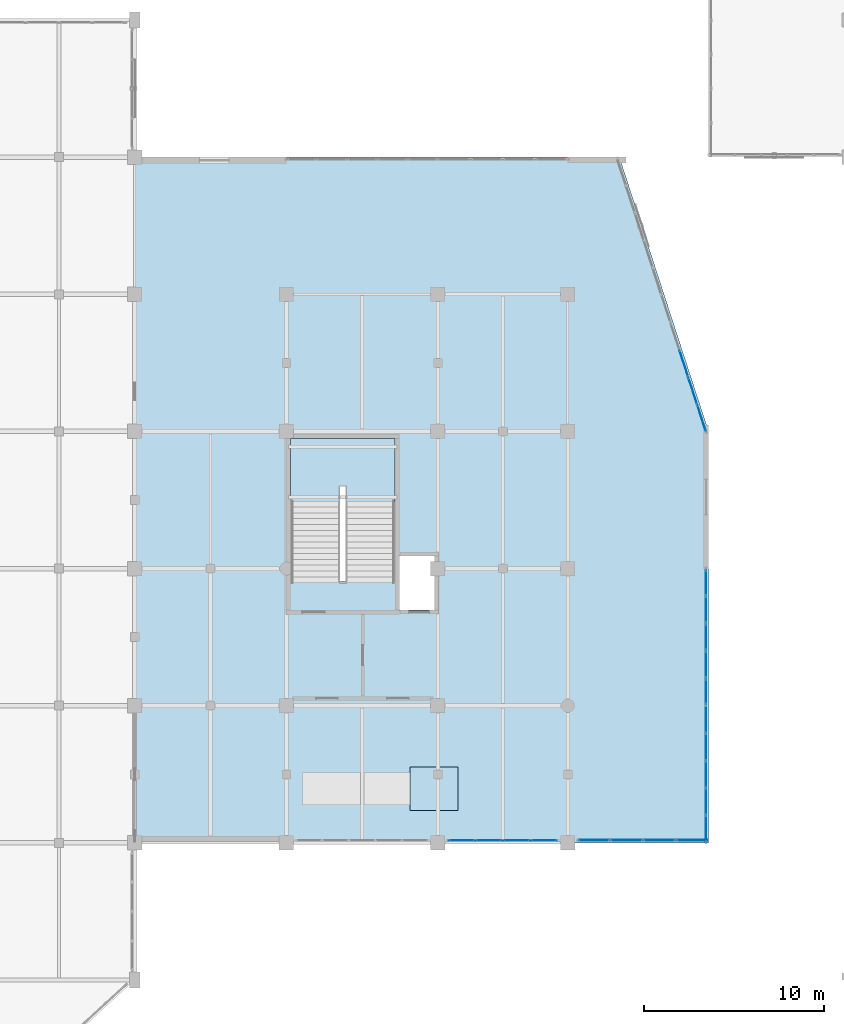
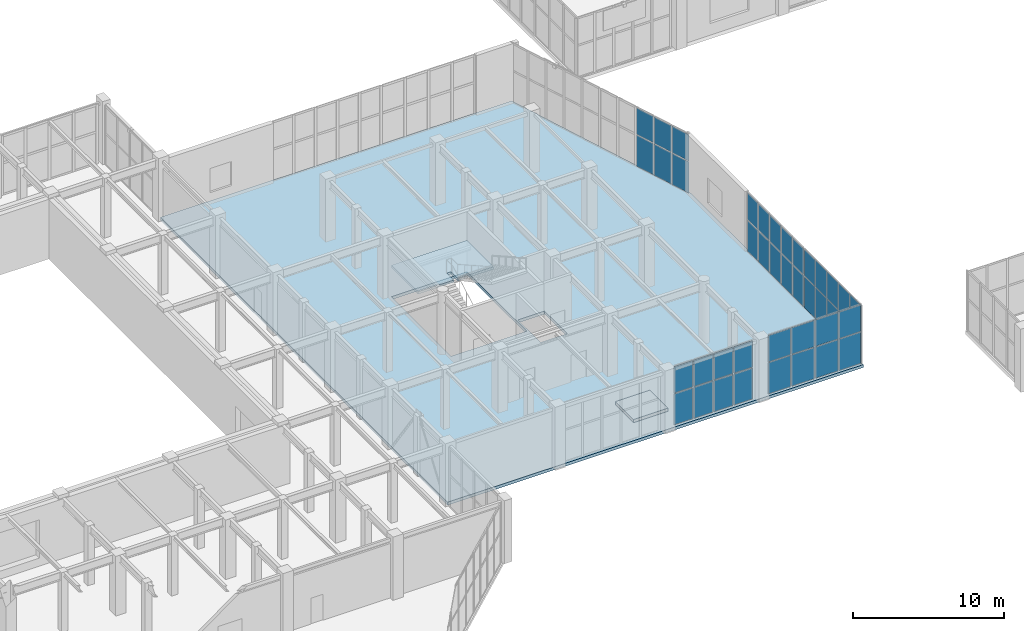
# One storey, part 98 of 128: 42 plates, 3 slabs, 6 elements without a shape of their own.
"""IFC4 building model written with IfcOpenShell, lengths in metres."""

from ifc_helpers import new_model, si_unit, direction, frame, origin, origin_2d, place, context, subcontext, project, spatial, polyline, rectangle, outline, extrude, material, layer, layer_set, type_object, element, aggregate, save


model = new_model("IFC4")

# Units and contexts
model_context = context("Model", 3, precision=1e-05, world=origin(), true_north=direction((0.0, 1.0)))
body_context = subcontext(model_context, "Body", "Model", "MODEL_VIEW")
ifc_project = project(units=[si_unit("LENGTHUNIT", "METRE"), si_unit("AREAUNIT", "SQUARE_METRE"), si_unit("VOLUMEUNIT", "CUBIC_METRE"), si_unit("PLANEANGLEUNIT", "RADIAN"), si_unit("MASSUNIT", "GRAM", prefix="KILO")], contexts=[model_context])

# Site, building, storey
site_placement = place(None, origin())
site = spatial("IfcSite", under=ifc_project, at=site_placement, CompositionType="ELEMENT")
building_placement = place(site_placement, origin())
building = spatial("IfcBuilding", under=site, at=building_placement, Name="Xicomal Pleat Aquarium", CompositionType="ELEMENT")
storey_placement = place(building_placement, frame((0.0, 0.0, 5.39990234375)))
storey = spatial("IfcBuildingStorey", under=building, at=storey_placement, Name="L02", CompositionType="ELEMENT", Elevation=5.39990234375)

# Curtain wall, plates
ifc_material_1 = material(Name="Bronze anodized aluminium 6063-T6", Category="aluminium")
ifc_layer_1 = layer(ifc_material_1, 0.159912109375)
ifc_layer_set_1 = layer_set([ifc_layer_1], Name="Bronze anodized aluminium 6063-T6")
curtain_wall_type_1 = type_object("IfcCurtainWallType", Name="CW-SYS-07", PredefinedType="NOTDEFINED", material=ifc_layer_set_1)
curtain_wall_1_placement = place(storey_placement, origin())
curtain_wall_1 = element("IfcCurtainWall", 1, at=curtain_wall_1_placement, inside=storey, type_object=curtain_wall_type_1, Name="L02 unitised curtain wall CW-L02-112", PredefinedType="NOTDEFINED")
ifc_material_2 = material(Name="Insulated low-E laminated glass", Category="glass")
ifc_layer_2 = layer(ifc_material_2, 0.028076171875)
ifc_layer_set_2 = layer_set([ifc_layer_2], Name="Insulated low-E laminated glass")
plate_type_1 = type_object("IfcPlateType", Name="CWP-GLZ-28", PredefinedType="CURTAIN_PANEL", material=ifc_layer_set_2)
plate_1_placement = place(storey_placement, frame((124.632080078125, 64.556884765625, 0.0751953125), z_axis=(0.0, 0.0, 1.0), x_axis=(0.309086072339, -0.95103406873, 0.0)))
plate_1 = element("IfcPlate", 2, at=plate_1_placement, type_object=plate_type_1, Name="CW-07 panel 3.1", PredefinedType="CURTAIN_PANEL", context=body_context, shape_type="SweptSolid", body=[
    extrude(rectangle(XDim=1.523193359375, YDim=0.028076171875, at=origin_2d()), origin(), (0.0, 0.0, 1.0), 2.511474609375),
])
plate_2_placement = place(storey_placement, frame((124.632080078125, 64.556884765625, 2.66162109375), z_axis=(0.0, 0.0, 1.0), x_axis=(0.309086072339, -0.95103406873, 0.0)))
plate_2 = element("IfcPlate", 3, at=plate_2_placement, type_object=plate_type_1, Name="CW-07 panel 3.2", PredefinedType="CURTAIN_PANEL", context=body_context, shape_type="SweptSolid", body=[
    extrude(rectangle(XDim=1.523193359375, YDim=0.028076171875, at=origin_2d()), origin(), (0.0, 0.0, 1.0), 2.12353515625),
])
plate_3_placement = place(storey_placement, frame((125.1259765625, 63.037109375, 0.0751953125), z_axis=(0.0, 0.0, 1.0), x_axis=(0.309086072339, -0.95103406873, 0.0)))
plate_3 = element("IfcPlate", 4, at=plate_3_placement, type_object=plate_type_1, Name="CW-07 panel 4.1", PredefinedType="CURTAIN_PANEL", context=body_context, shape_type="SweptSolid", body=[
    extrude(rectangle(XDim=1.523193359375, YDim=0.028076171875, at=origin_2d()), origin(), (0.0, 0.0, 1.0), 2.511474609375),
])
plate_4_placement = place(storey_placement, frame((125.1259765625, 63.037109375, 2.66162109375), z_axis=(0.0, 0.0, 1.0), x_axis=(0.309086072339, -0.95103406873, 0.0)))
plate_4 = element("IfcPlate", 5, at=plate_4_placement, type_object=plate_type_1, Name="CW-07 panel 4.2", PredefinedType="CURTAIN_PANEL", context=body_context, shape_type="SweptSolid", body=[
    extrude(rectangle(XDim=1.523193359375, YDim=0.028076171875, at=origin_2d()), origin(), (0.0, 0.0, 1.0), 2.12353515625),
])
plate_5_placement = place(storey_placement, frame((125.6142578125, 61.534912109375, 0.0751953125), z_axis=(0.0, 0.0, 1.0), x_axis=(0.309086072339, -0.95103406873, 0.0)))
plate_5 = element("IfcPlate", 6, at=plate_5_placement, type_object=plate_type_1, Name="CW-07 panel 5.1", PredefinedType="CURTAIN_PANEL", context=body_context, shape_type="SweptSolid", body=[
    extrude(rectangle(XDim=1.48583984375, YDim=0.028076171875, at=origin_2d()), origin(), (0.0, 0.0, 1.0), 2.511474609375),
])
plate_6_placement = place(storey_placement, frame((125.6142578125, 61.534912109375, 2.66162109375), z_axis=(0.0, 0.0, 1.0), x_axis=(0.309086072339, -0.95103406873, 0.0)))
plate_6 = element("IfcPlate", 7, at=plate_6_placement, type_object=plate_type_1, Name="CW-07 panel 5.2", PredefinedType="CURTAIN_PANEL", context=body_context, shape_type="SweptSolid", body=[
    extrude(rectangle(XDim=1.48583984375, YDim=0.028076171875, at=origin_2d()), origin(), (0.0, 0.0, 1.0), 2.12353515625),
])
aggregate(curtain_wall_1, [plate_1, plate_2, plate_3, plate_4, plate_5, plate_6])

ifc_material_3 = material(Name="Bronze anodized aluminium 6063-T6", Category="aluminium")
ifc_layer_3 = layer(ifc_material_3, 0.159912109375)
ifc_layer_set_3 = layer_set([ifc_layer_3], Name="Bronze anodized aluminium 6063-T6")
curtain_wall_type_2 = type_object("IfcCurtainWallType", Name="CW-SYS-12", PredefinedType="NOTDEFINED", material=ifc_layer_set_3)
curtain_wall_2_placement = place(storey_placement, origin())
curtain_wall_2 = element("IfcCurtainWall", 8, at=curtain_wall_2_placement, inside=storey, type_object=curtain_wall_type_2, Name="L02 unitised curtain wall CW-L02-116", PredefinedType="NOTDEFINED")
plate_7_placement = place(storey_placement, frame((116.888916015625, 38.139892578125, 0.0849609375), z_axis=(0.0, 0.0, 1.0), x_axis=(-1.0, 0.0, 0.0)))
plate_7 = element("IfcPlate", 9, at=plate_7_placement, type_object=plate_type_1, Name="CW-12 panel 1.1", PredefinedType="CURTAIN_PANEL", context=body_context, shape_type="SweptSolid", body=[
    extrude(rectangle(XDim=1.41259765625, YDim=0.028076171875, at=origin_2d()), origin(), (0.0, 0.0, 1.0), 2.49658203125),
])
plate_8_placement = place(storey_placement, frame((116.888916015625, 38.139892578125, 2.66650390625), z_axis=(0.0, 0.0, 1.0), x_axis=(-1.0, 0.0, 0.0)))
plate_8 = element("IfcPlate", 10, at=plate_8_placement, type_object=plate_type_1, Name="CW-12 panel 1.2", PredefinedType="CURTAIN_PANEL", context=body_context, shape_type="SweptSolid", body=[
    extrude(rectangle(XDim=1.41259765625, YDim=0.028076171875, at=origin_2d()), origin(), (0.0, 0.0, 1.0), 2.1083984375),
])
plate_9_placement = place(storey_placement, frame((115.3701171875, 38.139892578125, 0.0849609375), z_axis=(0.0, 0.0, 1.0), x_axis=(-1.0, 0.0, 0.0)))
plate_9 = element("IfcPlate", 11, at=plate_9_placement, type_object=plate_type_1, Name="CW-12 panel 2.1", PredefinedType="CURTAIN_PANEL", context=body_context, shape_type="SweptSolid", body=[
    extrude(rectangle(XDim=1.455078125, YDim=0.028076171875, at=origin_2d()), origin(), (0.0, 0.0, 1.0), 2.49658203125),
])
plate_10_placement = place(storey_placement, frame((115.3701171875, 38.139892578125, 2.66650390625), z_axis=(0.0, 0.0, 1.0), x_axis=(-1.0, 0.0, 0.0)))
plate_10 = element("IfcPlate", 12, at=plate_10_placement, type_object=plate_type_1, Name="CW-12 panel 2.2", PredefinedType="CURTAIN_PANEL", context=body_context, shape_type="SweptSolid", body=[
    extrude(rectangle(XDim=1.455078125, YDim=0.028076171875, at=origin_2d()), origin(), (0.0, 0.0, 1.0), 2.1083984375),
])
plate_11_placement = place(storey_placement, frame((113.830078125, 38.139892578125, 0.0849609375), z_axis=(0.0, 0.0, 1.0), x_axis=(-1.0, 0.0, 0.0)))
plate_11 = element("IfcPlate", 13, at=plate_11_placement, type_object=plate_type_1, Name="CW-12 panel 3.1", PredefinedType="CURTAIN_PANEL", context=body_context, shape_type="SweptSolid", body=[
    extrude(rectangle(XDim=1.455078125, YDim=0.028076171875, at=origin_2d()), origin(), (0.0, 0.0, 1.0), 2.49658203125),
])
plate_12_placement = place(storey_placement, frame((113.830078125, 38.139892578125, 2.66650390625), z_axis=(0.0, 0.0, 1.0), x_axis=(-1.0, 0.0, 0.0)))
plate_12 = element("IfcPlate", 14, at=plate_12_placement, type_object=plate_type_1, Name="CW-12 panel 3.2", PredefinedType="CURTAIN_PANEL", context=body_context, shape_type="SweptSolid", body=[
    extrude(rectangle(XDim=1.455078125, YDim=0.028076171875, at=origin_2d()), origin(), (0.0, 0.0, 1.0), 2.1083984375),
])
plate_13_placement = place(storey_placement, frame((112.311279296875, 38.139892578125, 0.0849609375), z_axis=(0.0, 0.0, 1.0), x_axis=(-1.0, 0.0, 0.0)))
plate_13 = element("IfcPlate", 15, at=plate_13_placement, type_object=plate_type_1, Name="CW-12 panel 4.1", PredefinedType="CURTAIN_PANEL", context=body_context, shape_type="SweptSolid", body=[
    extrude(rectangle(XDim=1.41259765625, YDim=0.028076171875, at=origin_2d()), origin(), (0.0, 0.0, 1.0), 2.49658203125),
])
plate_14_placement = place(storey_placement, frame((112.311279296875, 38.139892578125, 2.66650390625), z_axis=(0.0, 0.0, 1.0), x_axis=(-1.0, 0.0, 0.0)))
plate_14 = element("IfcPlate", 16, at=plate_14_placement, type_object=plate_type_1, Name="CW-12 panel 4.2", PredefinedType="CURTAIN_PANEL", context=body_context, shape_type="SweptSolid", body=[
    extrude(rectangle(XDim=1.41259765625, YDim=0.028076171875, at=origin_2d()), origin(), (0.0, 0.0, 1.0), 2.1083984375),
])
aggregate(curtain_wall_2, [plate_7, plate_8, plate_9, plate_10, plate_11, plate_12, plate_13, plate_14])

curtain_wall_3_placement = place(storey_placement, origin())
curtain_wall_3 = element("IfcCurtainWall", 17, at=curtain_wall_3_placement, inside=storey, type_object=curtain_wall_type_2, Name="L02 unitised curtain wall CW-L02-113", PredefinedType="NOTDEFINED")
ifc_material_4 = material(Name="Insulated low-E laminated glass", Category="glass")
ifc_layer_4 = layer(ifc_material_4, 0.031982421875)
ifc_layer_set_4 = layer_set([ifc_layer_4], Name="Insulated low-E laminated glass")
plate_type_2 = type_object("IfcPlateType", Name="CWP-GLZ-32", PredefinedType="CURTAIN_PANEL", material=ifc_layer_set_4)
plate_15_placement = place(storey_placement, frame((125.860107421875, 52.418701171875, 0.0849609375), z_axis=(0.0, 0.0, 1.0), x_axis=(0.0, -1.0, 0.0)))
plate_15 = element("IfcPlate", 18, at=plate_15_placement, type_object=plate_type_2, Name="CW-12 panel 1.1", PredefinedType="CURTAIN_PANEL", context=body_context, shape_type="SweptSolid", body=[
    extrude(rectangle(XDim=1.392578125, YDim=0.031982421875, at=origin_2d()), origin(), (0.0, 0.0, 1.0), 2.49658203125),
])
plate_16_placement = place(storey_placement, frame((125.860107421875, 52.418701171875, 2.66650390625), z_axis=(0.0, 0.0, 1.0), x_axis=(0.0, -1.0, 0.0)))
plate_16 = element("IfcPlate", 19, at=plate_16_placement, type_object=plate_type_2, Name="CW-12 panel 1.2", PredefinedType="CURTAIN_PANEL", context=body_context, shape_type="SweptSolid", body=[
    extrude(rectangle(XDim=1.392578125, YDim=0.031982421875, at=origin_2d()), origin(), (0.0, 0.0, 1.0), 2.1083984375),
])
plate_17_placement = place(storey_placement, frame((125.860107421875, 50.919921875, 0.0849609375), z_axis=(0.0, 0.0, 1.0), x_axis=(0.0, -1.0, 0.0)))
plate_17 = element("IfcPlate", 20, at=plate_17_placement, type_object=plate_type_2, Name="CW-12 panel 2.1", PredefinedType="CURTAIN_PANEL", context=body_context, shape_type="SweptSolid", body=[
    extrude(rectangle(XDim=1.43505859375, YDim=0.031982421875, at=origin_2d()), origin(), (0.0, 0.0, 1.0), 2.49658203125),
])
plate_18_placement = place(storey_placement, frame((125.860107421875, 50.919921875, 2.66650390625), z_axis=(0.0, 0.0, 1.0), x_axis=(0.0, -1.0, 0.0)))
plate_18 = element("IfcPlate", 21, at=plate_18_placement, type_object=plate_type_2, Name="CW-12 panel 2.2", PredefinedType="CURTAIN_PANEL", context=body_context, shape_type="SweptSolid", body=[
    extrude(rectangle(XDim=1.43505859375, YDim=0.031982421875, at=origin_2d()), origin(), (0.0, 0.0, 1.0), 2.1083984375),
])
plate_19_placement = place(storey_placement, frame((125.860107421875, 49.39990234375, 0.0849609375), z_axis=(0.0, 0.0, 1.0), x_axis=(0.0, -1.0, 0.0)))
plate_19 = element("IfcPlate", 22, at=plate_19_placement, type_object=plate_type_2, Name="CW-12 panel 3.1", PredefinedType="CURTAIN_PANEL", context=body_context, shape_type="SweptSolid", body=[
    extrude(rectangle(XDim=1.43505859375, YDim=0.031982421875, at=origin_2d()), origin(), (0.0, 0.0, 1.0), 2.49658203125),
])
plate_20_placement = place(storey_placement, frame((125.860107421875, 49.39990234375, 2.66650390625), z_axis=(0.0, 0.0, 1.0), x_axis=(0.0, -1.0, 0.0)))
plate_20 = element("IfcPlate", 23, at=plate_20_placement, type_object=plate_type_2, Name="CW-12 panel 3.2", PredefinedType="CURTAIN_PANEL", context=body_context, shape_type="SweptSolid", body=[
    extrude(rectangle(XDim=1.43505859375, YDim=0.031982421875, at=origin_2d()), origin(), (0.0, 0.0, 1.0), 2.1083984375),
])
plate_21_placement = place(storey_placement, frame((125.860107421875, 47.8798828125, 0.0849609375), z_axis=(0.0, 0.0, 1.0), x_axis=(0.0, -1.0, 0.0)))
plate_21 = element("IfcPlate", 24, at=plate_21_placement, type_object=plate_type_2, Name="CW-12 panel 4.1", PredefinedType="CURTAIN_PANEL", context=body_context, shape_type="SweptSolid", body=[
    extrude(rectangle(XDim=1.43505859375, YDim=0.031982421875, at=origin_2d()), origin(), (0.0, 0.0, 1.0), 2.49658203125),
])
plate_22_placement = place(storey_placement, frame((125.860107421875, 47.8798828125, 2.66650390625), z_axis=(0.0, 0.0, 1.0), x_axis=(0.0, -1.0, 0.0)))
plate_22 = element("IfcPlate", 25, at=plate_22_placement, type_object=plate_type_2, Name="CW-12 panel 4.2", PredefinedType="CURTAIN_PANEL", context=body_context, shape_type="SweptSolid", body=[
    extrude(rectangle(XDim=1.43505859375, YDim=0.031982421875, at=origin_2d()), origin(), (0.0, 0.0, 1.0), 2.1083984375),
])
plate_23_placement = place(storey_placement, frame((125.860107421875, 46.38134765625, 0.0849609375), z_axis=(0.0, 0.0, 1.0), x_axis=(0.0, -1.0, 0.0)))
plate_23 = element("IfcPlate", 26, at=plate_23_placement, type_object=plate_type_2, Name="CW-12 panel 5.1", PredefinedType="CURTAIN_PANEL", context=body_context, shape_type="SweptSolid", body=[
    extrude(rectangle(XDim=1.392578125, YDim=0.031982421875, at=origin_2d()), origin(), (0.0, 0.0, 1.0), 2.49658203125),
])
plate_24_placement = place(storey_placement, frame((125.860107421875, 46.38134765625, 2.66650390625), z_axis=(0.0, 0.0, 1.0), x_axis=(0.0, -1.0, 0.0)))
plate_24 = element("IfcPlate", 27, at=plate_24_placement, type_object=plate_type_2, Name="CW-12 panel 5.2", PredefinedType="CURTAIN_PANEL", context=body_context, shape_type="SweptSolid", body=[
    extrude(rectangle(XDim=1.392578125, YDim=0.031982421875, at=origin_2d()), origin(), (0.0, 0.0, 1.0), 2.1083984375),
])
aggregate(curtain_wall_3, [plate_15, plate_16, plate_17, plate_18, plate_19, plate_20, plate_21, plate_22, plate_23, plate_24])

ifc_material_5 = material(Name="Bronze anodized aluminium 6063-T6", Category="aluminium")
ifc_layer_5 = layer(ifc_material_5, 0.159912109375)
ifc_layer_set_5 = layer_set([ifc_layer_5], Name="Bronze anodized aluminium 6063-T6")
curtain_wall_type_3 = type_object("IfcCurtainWallType", Name="CW-SYS-02", PredefinedType="NOTDEFINED", material=ifc_layer_set_5)
curtain_wall_4_placement = place(storey_placement, origin())
curtain_wall_4 = element("IfcCurtainWall", 28, at=curtain_wall_4_placement, inside=storey, type_object=curtain_wall_type_3, Name="L02 unitised curtain wall CW-L02-114", PredefinedType="NOTDEFINED")
ifc_material_6 = material(Name="Insulated low-E laminated glass", Category="glass")
ifc_layer_6 = layer(ifc_material_6, 0.035888671875)
ifc_layer_set_6 = layer_set([ifc_layer_6], Name="Insulated low-E laminated glass")
plate_type_3 = type_object("IfcPlateType", Name="CWP-GLZ-36", PredefinedType="CURTAIN_PANEL", material=ifc_layer_set_6)
plate_25_placement = place(storey_placement, frame((125.860107421875, 44.82373046875, 0.06494140625), z_axis=(0.0, 0.0, 1.0), x_axis=(0.0, -1.0, 0.0)))
plate_25 = element("IfcPlate", 29, at=plate_25_placement, type_object=plate_type_3, Name="CW-02 panel 1.1", PredefinedType="CURTAIN_PANEL", context=body_context, shape_type="SweptSolid", body=[
    extrude(rectangle(XDim=1.422607421875, YDim=0.035888671875, at=origin_2d()), origin(), (0.0, 0.0, 1.0), 2.526611328125),
])
plate_26_placement = place(storey_placement, frame((125.860107421875, 44.82373046875, 2.65673828125), z_axis=(0.0, 0.0, 1.0), x_axis=(0.0, -1.0, 0.0)))
plate_26 = element("IfcPlate", 30, at=plate_26_placement, type_object=plate_type_3, Name="CW-02 panel 1.2", PredefinedType="CURTAIN_PANEL", context=body_context, shape_type="SweptSolid", body=[
    extrude(rectangle(XDim=1.422607421875, YDim=0.035888671875, at=origin_2d()), origin(), (0.0, 0.0, 1.0), 2.138427734375),
])
plate_27_placement = place(storey_placement, frame((125.860107421875, 43.320068359375, 0.06494140625), z_axis=(0.0, 0.0, 1.0), x_axis=(0.0, -1.0, 0.0)))
plate_27 = element("IfcPlate", 31, at=plate_27_placement, type_object=plate_type_3, Name="CW-02 panel 2.1", PredefinedType="CURTAIN_PANEL", context=body_context, shape_type="SweptSolid", body=[
    extrude(rectangle(XDim=1.455078125, YDim=0.035888671875, at=origin_2d()), origin(), (0.0, 0.0, 1.0), 2.526611328125),
])
plate_28_placement = place(storey_placement, frame((125.860107421875, 43.320068359375, 2.65673828125), z_axis=(0.0, 0.0, 1.0), x_axis=(0.0, -1.0, 0.0)))
plate_28 = element("IfcPlate", 32, at=plate_28_placement, type_object=plate_type_3, Name="CW-02 panel 2.2", PredefinedType="CURTAIN_PANEL", context=body_context, shape_type="SweptSolid", body=[
    extrude(rectangle(XDim=1.455078125, YDim=0.035888671875, at=origin_2d()), origin(), (0.0, 0.0, 1.0), 2.138427734375),
])
plate_29_placement = place(storey_placement, frame((125.860107421875, 41.800048828125, 0.06494140625), z_axis=(0.0, 0.0, 1.0), x_axis=(0.0, -1.0, 0.0)))
plate_29 = element("IfcPlate", 33, at=plate_29_placement, type_object=plate_type_3, Name="CW-02 panel 3.1", PredefinedType="CURTAIN_PANEL", context=body_context, shape_type="SweptSolid", body=[
    extrude(rectangle(XDim=1.455078125, YDim=0.035888671875, at=origin_2d()), origin(), (0.0, 0.0, 1.0), 2.526611328125),
])
plate_30_placement = place(storey_placement, frame((125.860107421875, 41.800048828125, 2.65673828125), z_axis=(0.0, 0.0, 1.0), x_axis=(0.0, -1.0, 0.0)))
plate_30 = element("IfcPlate", 34, at=plate_30_placement, type_object=plate_type_3, Name="CW-02 panel 3.2", PredefinedType="CURTAIN_PANEL", context=body_context, shape_type="SweptSolid", body=[
    extrude(rectangle(XDim=1.455078125, YDim=0.035888671875, at=origin_2d()), origin(), (0.0, 0.0, 1.0), 2.138427734375),
])
plate_31_placement = place(storey_placement, frame((125.860107421875, 40.280029296875, 0.06494140625), z_axis=(0.0, 0.0, 1.0), x_axis=(0.0, -1.0, 0.0)))
plate_31 = element("IfcPlate", 35, at=plate_31_placement, type_object=plate_type_3, Name="CW-02 panel 4.1", PredefinedType="CURTAIN_PANEL", context=body_context, shape_type="SweptSolid", body=[
    extrude(rectangle(XDim=1.455078125, YDim=0.035888671875, at=origin_2d()), origin(), (0.0, 0.0, 1.0), 2.526611328125),
])
plate_32_placement = place(storey_placement, frame((125.860107421875, 40.280029296875, 2.65673828125), z_axis=(0.0, 0.0, 1.0), x_axis=(0.0, -1.0, 0.0)))
plate_32 = element("IfcPlate", 36, at=plate_32_placement, type_object=plate_type_3, Name="CW-02 panel 4.2", PredefinedType="CURTAIN_PANEL", context=body_context, shape_type="SweptSolid", body=[
    extrude(rectangle(XDim=1.455078125, YDim=0.035888671875, at=origin_2d()), origin(), (0.0, 0.0, 1.0), 2.138427734375),
])
plate_33_placement = place(storey_placement, frame((125.860107421875, 38.776123046875, 0.06494140625), z_axis=(0.0, 0.0, 1.0), x_axis=(0.0, -1.0, 0.0)))
plate_33 = element("IfcPlate", 37, at=plate_33_placement, type_object=plate_type_3, Name="CW-02 panel 5.1", PredefinedType="CURTAIN_PANEL", context=body_context, shape_type="SweptSolid", body=[
    extrude(rectangle(XDim=1.422607421875, YDim=0.035888671875, at=origin_2d()), origin(), (0.0, 0.0, 1.0), 2.526611328125),
])
plate_34_placement = place(storey_placement, frame((125.860107421875, 38.776123046875, 2.65673828125), z_axis=(0.0, 0.0, 1.0), x_axis=(0.0, -1.0, 0.0)))
plate_34 = element("IfcPlate", 38, at=plate_34_placement, type_object=plate_type_3, Name="CW-02 panel 5.2", PredefinedType="CURTAIN_PANEL", context=body_context, shape_type="SweptSolid", body=[
    extrude(rectangle(XDim=1.422607421875, YDim=0.035888671875, at=origin_2d()), origin(), (0.0, 0.0, 1.0), 2.138427734375),
])
aggregate(curtain_wall_4, [plate_25, plate_26, plate_27, plate_28, plate_29, plate_30, plate_31, plate_32, plate_33, plate_34])

curtain_wall_5_placement = place(storey_placement, origin())
curtain_wall_5 = element("IfcCurtainWall", 39, at=curtain_wall_5_placement, inside=storey, type_object=curtain_wall_type_1, Name="L02 unitised curtain wall CW-L02-115", PredefinedType="NOTDEFINED")
ifc_material_7 = material(Name="Insulated low-E laminated glass", Category="glass")
ifc_layer_7 = layer(ifc_material_7, 0.0419921875)
ifc_layer_set_7 = layer_set([ifc_layer_7], Name="Insulated low-E laminated glass")
plate_type_4 = type_object("IfcPlateType", Name="CWP-GLZ-42", PredefinedType="CURTAIN_PANEL", material=ifc_layer_set_7)
plate_35_placement = place(storey_placement, frame((125.0712890625, 38.139892578125, 0.0751953125), z_axis=(0.0, 0.0, 1.0), x_axis=(-1.0, 0.0, 0.0)))
plate_35 = element("IfcPlate", 40, at=plate_35_placement, type_object=plate_type_4, Name="CW-07 panel 1.1", PredefinedType="CURTAIN_PANEL", context=body_context, shape_type="SweptSolid", body=[
    extrude(rectangle(XDim=1.70751953125, YDim=0.0419921875, at=origin_2d()), origin(), (0.0, 0.0, 1.0), 2.511474609375),
])
plate_36_placement = place(storey_placement, frame((125.0712890625, 38.139892578125, 2.66162109375), z_axis=(0.0, 0.0, 1.0), x_axis=(-1.0, 0.0, 0.0)))
plate_36 = element("IfcPlate", 41, at=plate_36_placement, type_object=plate_type_4, Name="CW-07 panel 1.2", PredefinedType="CURTAIN_PANEL", context=body_context, shape_type="SweptSolid", body=[
    extrude(rectangle(XDim=1.70751953125, YDim=0.0419921875, at=origin_2d()), origin(), (0.0, 0.0, 1.0), 2.12353515625),
])
plate_37_placement = place(storey_placement, frame((123.27001953125, 38.139892578125, 0.0751953125), z_axis=(0.0, 0.0, 1.0), x_axis=(-1.0, 0.0, 0.0)))
plate_37 = element("IfcPlate", 42, at=plate_37_placement, type_object=plate_type_4, Name="CW-07 panel 2.1", PredefinedType="CURTAIN_PANEL", context=body_context, shape_type="SweptSolid", body=[
    extrude(rectangle(XDim=1.7451171875, YDim=0.0419921875, at=origin_2d()), origin(), (0.0, 0.0, 1.0), 2.511474609375),
])
plate_38_placement = place(storey_placement, frame((123.27001953125, 38.139892578125, 2.66162109375), z_axis=(0.0, 0.0, 1.0), x_axis=(-1.0, 0.0, 0.0)))
plate_38 = element("IfcPlate", 43, at=plate_38_placement, type_object=plate_type_4, Name="CW-07 panel 2.2", PredefinedType="CURTAIN_PANEL", context=body_context, shape_type="SweptSolid", body=[
    extrude(rectangle(XDim=1.7451171875, YDim=0.0419921875, at=origin_2d()), origin(), (0.0, 0.0, 1.0), 2.12353515625),
])
plate_39_placement = place(storey_placement, frame((121.449951171875, 38.139892578125, 0.0751953125), z_axis=(0.0, 0.0, 1.0), x_axis=(-1.0, 0.0, 0.0)))
plate_39 = element("IfcPlate", 44, at=plate_39_placement, type_object=plate_type_4, Name="CW-07 panel 3.1", PredefinedType="CURTAIN_PANEL", context=body_context, shape_type="SweptSolid", body=[
    extrude(rectangle(XDim=1.7451171875, YDim=0.0419921875, at=origin_2d()), origin(), (0.0, 0.0, 1.0), 2.511474609375),
])
plate_40_placement = place(storey_placement, frame((121.449951171875, 38.139892578125, 2.66162109375), z_axis=(0.0, 0.0, 1.0), x_axis=(-1.0, 0.0, 0.0)))
plate_40 = element("IfcPlate", 45, at=plate_40_placement, type_object=plate_type_4, Name="CW-07 panel 3.2", PredefinedType="CURTAIN_PANEL", context=body_context, shape_type="SweptSolid", body=[
    extrude(rectangle(XDim=1.7451171875, YDim=0.0419921875, at=origin_2d()), origin(), (0.0, 0.0, 1.0), 2.12353515625),
])
plate_41_placement = place(storey_placement, frame((119.648681640625, 38.139892578125, 0.0751953125), z_axis=(0.0, 0.0, 1.0), x_axis=(-1.0, 0.0, 0.0)))
plate_41 = element("IfcPlate", 46, at=plate_41_placement, type_object=plate_type_4, Name="CW-07 panel 4.1", PredefinedType="CURTAIN_PANEL", context=body_context, shape_type="SweptSolid", body=[
    extrude(rectangle(XDim=1.70751953125, YDim=0.0419921875, at=origin_2d()), origin(), (0.0, 0.0, 1.0), 2.511474609375),
])
plate_42_placement = place(storey_placement, frame((119.648681640625, 38.139892578125, 2.66162109375), z_axis=(0.0, 0.0, 1.0), x_axis=(-1.0, 0.0, 0.0)))
plate_42 = element("IfcPlate", 47, at=plate_42_placement, type_object=plate_type_4, Name="CW-07 panel 4.2", PredefinedType="CURTAIN_PANEL", context=body_context, shape_type="SweptSolid", body=[
    extrude(rectangle(XDim=1.70751953125, YDim=0.0419921875, at=origin_2d()), origin(), (0.0, 0.0, 1.0), 2.12353515625),
])
aggregate(curtain_wall_5, [plate_35, plate_36, plate_37, plate_38, plate_39, plate_40, plate_41, plate_42])

# Slabs
ifc_material_8 = material(Name="Concrete C35/45", Category="concrete")
ifc_layer_8 = layer(ifc_material_8, 0.239990234375)
ifc_layer_set_8 = layer_set([ifc_layer_8], Name="Concrete C35/45")
slab_type_1 = type_object("IfcSlabType", Name="SLB-FLR-240", PredefinedType="FLOOR", material=ifc_layer_set_8)
slab_1_placement = place(storey_placement, frame((0.0, 0.0, -0.239990234375)))
element("IfcSlab", 48, at=slab_1_placement, inside=storey, type_object=slab_type_1, Name="L02 structural slab V4", PredefinedType="FLOOR", context=body_context, shape_type="SweptSolid", body=[
    extrude(outline(polyline([(121.06005859375, 76.0), (126.0, 60.800048828125), (126.0, 38.0), (94.199951171875, 38.0), (94.199951171875, 76.0), (121.06005859375, 76.0)]), holes=[polyline([(102.840087890625, 52.47998046875), (108.6201171875, 52.47998046875), (108.6201171875, 60.39990234375), (102.840087890625, 60.39990234375), (102.840087890625, 52.47998046875)]), polyline([(108.760009765625, 50.89990234375), (110.800048828125, 50.89990234375), (110.800048828125, 53.89990234375), (108.760009765625, 53.89990234375), (108.760009765625, 50.89990234375)])]), origin(), (0.0, 0.0, 1.0), 0.239990234375),
])
ifc_material_9 = material(Name="Concrete C40/50", Category="concrete")
ifc_layer_9 = layer(ifc_material_9, 0.260009765625)
ifc_layer_set_9 = layer_set([ifc_layer_9], Name="Concrete C40/50")
slab_type_2 = type_object("IfcSlabType", Name="SLB-FLR-260", PredefinedType="FLOOR", material=ifc_layer_set_9)
slab_2_placement = place(storey_placement, origin())
element("IfcSlab", 49, at=slab_2_placement, inside=storey, type_object=slab_type_2, Name="L02 accessible ramp arrival landing PR-04", PredefinedType="FLOOR", context=body_context, shape_type="SweptSolid", body=[
    extrude(outline(polyline([(109.449951171875, 39.800048828125), (112.10009765625, 39.800048828125), (112.10009765625, 42.199951171875), (109.449951171875, 42.199951171875), (109.449951171875, 39.800048828125)])), origin(), (0.0, 0.0, 1.0), 0.25),
])

# Stair, slab
ifc_material_10 = material(Name="Concrete C35/45", Category="concrete")
stair_type = type_object("IfcStairType", Name="STR-HT-5100-2400", PredefinedType="HALF_TURN_STAIR", material=ifc_material_10)
stair_placement = place(storey_placement, origin())
stair = element("IfcStair", 50, at=stair_placement, inside=storey, type_object=stair_type, Name="ST-07 fire exit stair L02 to L03", PredefinedType="HALF_TURN_STAIR")
ifc_material_11 = material(Name="Concrete C35/45", Category="concrete")
ifc_layer_10 = layer(ifc_material_11, 0.195068359375)
ifc_layer_set_10 = layer_set([ifc_layer_10], Name="Concrete C35/45")
slab_type_3 = type_object("IfcSlabType", Name="SLB-LND-195", PredefinedType="LANDING", material=ifc_layer_set_10)
slab_3_placement = place(storey_placement, frame((0.0, 0.0, 2.35498046875)))
slab_3 = element("IfcSlab", 51, at=slab_3_placement, type_object=slab_type_3, Name="ST-07 landing 1", PredefinedType="LANDING", context=body_context, shape_type="SweptSolid", body=[
    extrude(outline(polyline([(102.840087890625, 60.39990234375), (108.6201171875, 60.39990234375), (108.6201171875, 56.867919921875), (105.8798828125, 56.867919921875), (105.8798828125, 57.778076171875), (105.580078125, 57.778076171875), (105.580078125, 56.867919921875), (102.840087890625, 56.867919921875), (102.840087890625, 60.39990234375)])), origin(), (0.0, 0.0, 1.0), 0.195068359375),
])
aggregate(stair, [slab_3])

save(model, "model.ifc")
